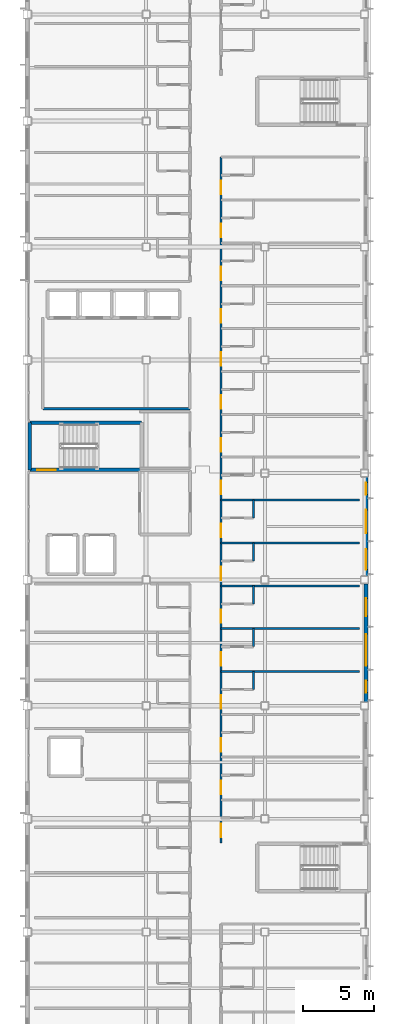
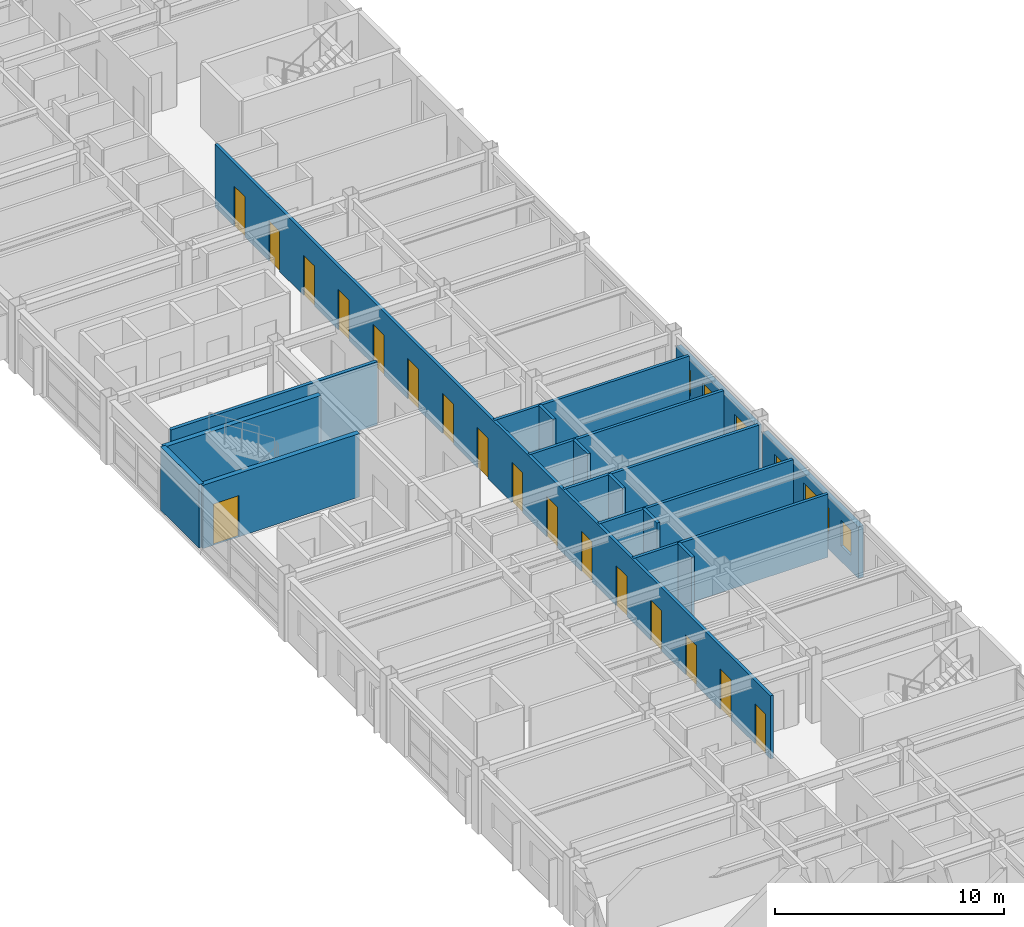
# One storey, part 27 of 38: 17 doors, 17 walls, 6 windows, 23 openings.
"""IFC4 building model written with IfcOpenShell, lengths in metres."""

import ifcopenshell
import ifcopenshell.guid

model = None  # the IFC model being written
_history = None  # IfcOwnerHistory: only IFC2X3 demands one
_inside = {}  # id of a spatial element -> (the spatial element, [elements in it])
_under = {}  # id of a project, library or spatial element -> (it, [spatial elements below it])
_declared = {}  # id of a project -> (the project, [libraries it declares])
_typed = {}  # id of a type object -> (the type object, [elements of that type])
_made_of = {}  # id of a material, layer set ... -> (it, [elements and type objects made of it])


def new_model(schema):
    """Start an empty IFC model of exactly this schema.

    Asked for "IFC4X3", IfcOpenShell would pick the latest addendum, in which some entities
    have other attributes; the version numbers below select the first issue.
    IFC2X3 requires an IfcOwnerHistory on every rooted entity: one is made here for all.
    """
    global model, _history
    if schema == "IFC4X3":
        model = ifcopenshell.file(schema_version=(4, 3, 0, 0))
    else:
        model = ifcopenshell.file(schema=schema)
    _inside.clear()
    _under.clear()
    _declared.clear()
    _typed.clear()
    _made_of.clear()
    _history = None
    if model.schema == "IFC2X3":
        org = make("IfcOrganization", Name="unknown")
        user = make(
            "IfcPersonAndOrganization",
            ThePerson=make("IfcPerson", FamilyName="unknown"),
            TheOrganization=org,
        )
        app = make(
            "IfcApplication",
            ApplicationDeveloper=org,
            Version="unknown",
            ApplicationFullName="unknown",
            ApplicationIdentifier="unknown",
        )
        _history = make(
            "IfcOwnerHistory",
            OwningUser=user,
            OwningApplication=app,
            ChangeAction="ADDED",
            CreationDate=0,
        )
    return model


def make(cls, **values):
    """One entity of the class cls with the attributes given. An attribute that is None is left unset."""
    return model.create_entity(
        cls, **{name: value for name, value in values.items() if value is not None}
    )


def rooted(cls, **values):
    """An entity with a GlobalId (a new one), such as an element, a storey or a relation."""
    return make(cls, GlobalId=ifcopenshell.guid.new(), OwnerHistory=_history, **values)


def si_unit(unit_type, name, prefix=None):
    """IfcSIUnit, for example si_unit("LENGTHUNIT", "METRE", prefix="MILLI")."""
    return make("IfcSIUnit", UnitType=unit_type, Prefix=prefix, Name=name)


def assignment(units):
    """IfcUnitAssignment: the units of a project."""
    return None if units is None else make("IfcUnitAssignment", Units=units)


def point(xyz):
    """IfcCartesianPoint."""
    return None if xyz is None else make("IfcCartesianPoint", Coordinates=xyz)


def direction(xyz):
    """IfcDirection."""
    return None if xyz is None else make("IfcDirection", DirectionRatios=xyz)


def frame(location, z_axis=None, x_axis=None):
    """IfcAxis2Placement3D, a coordinate frame: its origin and axes. An axis left out is left unset."""
    return make(
        "IfcAxis2Placement3D",
        Location=point(location),
        Axis=direction(z_axis),
        RefDirection=direction(x_axis),
    )


def frame_2d(location, x_axis=None):
    """IfcAxis2Placement2D, a coordinate frame in the plane: its origin and x axis."""
    return make(
        "IfcAxis2Placement2D", Location=point(location), RefDirection=direction(x_axis)
    )


def origin():
    """The frame at (0, 0, 0) with its axes left unset."""
    return frame((0.0, 0.0, 0.0))


def place(relative_to, where):
    """IfcLocalPlacement: puts the frame where relative to a parent placement (None: the world)."""
    return make(
        "IfcLocalPlacement", PlacementRelTo=relative_to, RelativePlacement=where
    )


def context(
    kind, dimensions, precision=None, world=None, true_north=None, identifier=None
):
    """IfcGeometricRepresentationContext, for example the 3D "Model" context."""
    return make(
        "IfcGeometricRepresentationContext",
        ContextIdentifier=identifier,
        ContextType=kind,
        CoordinateSpaceDimension=dimensions,
        Precision=precision,
        WorldCoordinateSystem=world,
        TrueNorth=true_north,
    )


def subcontext(parent, identifier, kind, view, scale=None):
    """IfcGeometricRepresentationSubContext, for example "Body" below "Model"."""
    return make(
        "IfcGeometricRepresentationSubContext",
        ContextIdentifier=identifier,
        ContextType=kind,
        ParentContext=parent,
        TargetScale=scale,
        TargetView=view,
    )


def project(units=None, contexts=None):
    """IfcProject with its units and contexts."""
    return rooted(
        "IfcProject",
        Name="project",
        RepresentationContexts=contexts,
        UnitsInContext=assignment(units),
    )


def spatial(cls, under=None, at=None, **own):
    """A site, building, storey or space (cls), placed at a placement, below another one or the project."""
    s = rooted(cls, ObjectPlacement=at, **own)
    if under is not None:
        _under.setdefault(under.id(), (under, []))[1].append(s)
    return s


def profile(cls, at=None, kind="AREA", **sizes):
    """A parametric profile (cls). Its sizes go by their IFC names, for example OverallWidth=200.0."""
    return make(cls, ProfileType=kind, Position=at, **sizes)


def rectangle(**sizes):
    """IfcRectangleProfileDef."""
    return profile("IfcRectangleProfileDef", **sizes)


def extrude(swept, where, along, depth):
    """IfcExtrudedAreaSolid: the profile swept, set in the frame where, extruded along a direction by depth."""
    return make(
        "IfcExtrudedAreaSolid",
        SweptArea=swept,
        Position=where,
        ExtrudedDirection=direction(along),
        Depth=depth,
    )


def shape(context_of_items, identifier, shape_type, items):
    """IfcShapeRepresentation: the items that make up one representation, for example the "Body"."""
    return make(
        "IfcShapeRepresentation",
        ContextOfItems=context_of_items,
        RepresentationIdentifier=identifier,
        RepresentationType=shape_type,
        Items=items,
    )


def material(Name=None, Category=None):
    """IfcMaterial."""
    return make("IfcMaterial", Name=Name, Category=Category)


def layer(
    of_material, thickness, ventilated=None, Name=None, Category=None, Priority=None
):
    """IfcMaterialLayer: one layer of a wall or slab, of a material (None: an air gap)."""
    return make(
        "IfcMaterialLayer",
        Material=of_material,
        LayerThickness=thickness,
        IsVentilated=ventilated,
        Name=Name,
        Category=Category,
        Priority=Priority,
    )


def layer_set(layers, Name=None):
    """IfcMaterialLayerSet."""
    return make("IfcMaterialLayerSet", MaterialLayers=layers, LayerSetName=Name)


def made_of(thing, what):
    """Note that an element or type object is made of a material, layer set ...; save() writes the relation."""
    if what is not None:
        _made_of.setdefault(what.id(), (what, []))[1].append(thing)
    return thing


def type_object(cls, material=None, **own):
    """A type object (cls), such as IfcWallType, which elements share."""
    return made_of(rooted(cls, **own), material)


def element(
    cls,
    number,
    at=None,
    inside=None,
    cuts=None,
    type_object=None,
    material=None,
    context=None,
    identifier="Body",
    shape_type=None,
    held_by="IfcProductDefinitionShape",
    body=None,
    shapes=None,
    **own,
):
    """One element of the class cls, such as IfcWall. Its Tag is "e" and its number.

    at: its placement. inside: the storey or other place that contains it. cuts: it is an
    opening in that element (IfcRelVoidsElement). A single representation is given by context,
    identifier, shape_type and body (its items); several are given by shapes. held_by: the class
    of the entity that holds the representations. save() writes the other relations.
    """
    e = rooted(cls, Tag="e%d" % number, ObjectPlacement=at, **own)
    if body is not None:
        shapes = [shape(context, identifier, shape_type, body)]
    if shapes is not None:
        e.Representation = make(held_by, Representations=shapes)
    if inside is not None:
        _inside.setdefault(inside.id(), (inside, []))[1].append(e)
    if cuts is not None:
        rooted(
            "IfcRelVoidsElement", RelatingBuildingElement=cuts, RelatedOpeningElement=e
        )
    if type_object is not None:
        _typed.setdefault(type_object.id(), (type_object, []))[1].append(e)
    return made_of(e, material)


def fill(opening, filler):
    """IfcRelFillsElement: the door or window that sits in an opening."""
    return rooted(
        "IfcRelFillsElement",
        RelatingOpeningElement=opening,
        RelatedBuildingElement=filler,
    )


def aggregate(whole, parts):
    """IfcRelAggregates: a whole, such as a stair, and the parts it consists of."""
    return rooted("IfcRelAggregates", RelatingObject=whole, RelatedObjects=parts)


def save(model, path):
    """Write the relations noted so far, then the file.

    IfcRelAggregates (storeys below a building ...), IfcRelContainedInSpatialStructure (elements
    in a storey), IfcRelDefinesByType, IfcRelAssociatesMaterial and IfcRelDeclares: one each for
    every whole, place, type object, material and project.
    """
    for whole, parts in _under.values():
        aggregate(whole, parts)
    for where, things in _inside.values():
        rooted(
            "IfcRelContainedInSpatialStructure",
            RelatedElements=things,
            RelatingStructure=where,
        )
    for kind, things in _typed.values():
        rooted("IfcRelDefinesByType", RelatedObjects=things, RelatingType=kind)
    for what, things in _made_of.values():
        rooted("IfcRelAssociatesMaterial", RelatedObjects=things, RelatingMaterial=what)
    for by, libraries in _declared.values():
        rooted("IfcRelDeclares", RelatingContext=by, RelatedDefinitions=libraries)
    model.write(path)


model = new_model("IFC4")

# Units and contexts
model_context = context("Model", 3, precision=1e-05, world=origin(), true_north=direction((0.0, 1.0)))
body_context = subcontext(model_context, "Body", "Model", "MODEL_VIEW")
ifc_project = project(units=[si_unit("LENGTHUNIT", "METRE"), si_unit("AREAUNIT", "SQUARE_METRE"), si_unit("VOLUMEUNIT", "CUBIC_METRE"), si_unit("PLANEANGLEUNIT", "RADIAN"), si_unit("MASSUNIT", "GRAM", prefix="KILO")], contexts=[model_context])

# Site, building, storey
site_placement = place(None, origin())
site = spatial("IfcSite", under=ifc_project, at=site_placement, CompositionType="ELEMENT")
building_placement = place(site_placement, origin())
building = spatial("IfcBuilding", under=site, at=building_placement, Name="Kazehara Bluff Congress Hotel", CompositionType="ELEMENT")
storey_placement = place(building_placement, frame((0.0, 0.0, 24.60009765625)))
storey = spatial("IfcBuildingStorey", under=building, at=storey_placement, Name="L05", CompositionType="ELEMENT", Elevation=24.60009765625)

# Wall
ifc_material_1 = material(Name="Concrete C40/50", Category="concrete")
ifc_layer_1 = layer(ifc_material_1, 0.25)
ifc_layer_set_1 = layer_set([ifc_layer_1], Name="Concrete C40/50")
wall_type_1 = type_object("IfcWallType", Name="TP-CW-RC", PredefinedType="SHEAR", material=ifc_layer_set_1)
wall_1_placement = place(storey_placement, frame((143.875, 48.675048828125, 0.0), z_axis=(0.0, 0.0, 1.0), x_axis=(0.0, 1.0, 0.0)))
element("IfcWall", 1, at=wall_1_placement, inside=storey, type_object=wall_type_1, Name="L05 ST-11 core wall near", PredefinedType="SHEAR", context=body_context, shape_type="SweptSolid", body=[
    extrude(rectangle(XDim=3.349853515625, YDim=0.25, at=frame_2d((1.6748046875, 0.0))), origin(), (0.0, 0.0, 1.0), 3.3798828125),
])

# Wall, opening, door
wall_2_placement = place(storey_placement, frame((151.77490234375, 48.675048828125, 0.0), z_axis=(0.0, 0.0, 1.0), x_axis=(-1.0, 0.0, 0.0)))
wall_2 = element("IfcWall", 2, at=wall_2_placement, inside=storey, type_object=wall_type_1, Name="L05 ST-11 core wall left", PredefinedType="SHEAR", context=body_context, shape_type="SweptSolid", body=[
    extrude(rectangle(XDim=7.89990234375, YDim=0.25, at=frame_2d((3.949951171875, 0.0))), origin(), (0.0, 0.0, 1.0), 3.3798828125),
])
opening_1_placement = place(wall_2_placement, frame((6.074951171875, 0.0, 0.0)))
opening_1 = element("IfcOpeningElement", 3, at=opening_1_placement, cuts=wall_2, Name="Opening FD-01", PredefinedType="OPENING", context=body_context, shape_type="SweptSolid", body=[
    extrude(rectangle(XDim=1.300048828125, YDim=2.199951171875, at=frame_2d((0.64990234375, 1.10009765625))), frame((0.0, 0.135009765625, 0.0), z_axis=(0.0, -1.0, 0.0), x_axis=(1.0, 0.0, 0.0)), (0.0, 0.0, 1.0), 0.27001953125),
])
ifc_material_2 = material(Name="Fire-rated painted steel leaf", Category="steel")
door_type_1 = type_object("IfcDoorType", Name="TP-FD-01", OperationType="NOTDEFINED", PredefinedType="DOOR", material=ifc_material_2)
door_1_placement = place(opening_1_placement, origin())
door_1 = element("IfcDoor", 4, at=door_1_placement, inside=storey, type_object=door_type_1, Name="L05 ST-11 fire stair door", OperationType="SINGLE_SWING_RIGHT", OverallHeight=2.199951171875, OverallWidth=1.300048828125, PredefinedType="DOOR", context=body_context, shape_type="SweptSolid", body=[
    extrude(rectangle(XDim=1.300048828125, YDim=2.199951171875, at=frame_2d((0.64990234375, 1.10009765625))), frame((0.0, 0.02490234375, 0.0), z_axis=(0.0, -1.0, 0.0), x_axis=(1.0, 0.0, 0.0)), (0.0, 0.0, 1.0), 0.050048828125),
])
fill(opening_1, door_1)

# Wall
wall_3_placement = place(storey_placement, frame((143.875, 52.02490234375, 0.0), z_axis=(0.0, 0.0, 1.0), x_axis=(1.0, 0.0, 0.0)))
element("IfcWall", 5, at=wall_3_placement, inside=storey, type_object=wall_type_1, Name="L05 ST-11 core wall right", PredefinedType="SHEAR", context=body_context, shape_type="SweptSolid", body=[
    extrude(rectangle(XDim=7.89990234375, YDim=0.25, at=frame_2d((3.949951171875, 0.0))), origin(), (0.0, 0.0, 1.0), 3.3798828125),
])

# Wall, openings, windows
ifc_material_3 = material(Name="Precast concrete C40/50", Category="concrete")
ifc_layer_2 = layer(ifc_material_3, 0.260009765625)
ifc_layer_set_2 = layer_set([ifc_layer_2], Name="Precast concrete C40/50")
wall_type_2 = type_object("IfcWallType", Name="TP-EW-260", PredefinedType="SOLIDWALL", material=ifc_layer_set_2)
wall_4_placement = place(storey_placement, frame((167.64990234375, 40.625, 0.0), z_axis=(0.0, 0.0, 1.0), x_axis=(0.0, -1.0, 0.0)))
wall_4 = element("IfcWall", 6, at=wall_4_placement, inside=storey, type_object=wall_type_2, Name="L05 hotel facade panel 46", PredefinedType="SOLIDWALL", context=body_context, shape_type="SweptSolid", body=[
    extrude(rectangle(XDim=8.35009765625, YDim=0.260009765625, at=frame_2d((4.175048828125, 0.0))), origin(), (0.0, 0.0, 1.0), 2.7548828125),
])
opening_2_placement = place(wall_4_placement, frame((6.85009765625, 0.0, 0.85009765625)))
opening_2 = element("IfcOpeningElement", 7, at=opening_2_placement, cuts=wall_4, Name="Opening WN-55", PredefinedType="OPENING", context=body_context, shape_type="SweptSolid", body=[
    extrude(rectangle(XDim=0.85009765625, YDim=1.35009765625, at=frame_2d((0.425048828125, 0.675048828125))), frame((0.0, 0.139892578125, 0.0), z_axis=(0.0, -1.0, 0.0), x_axis=(1.0, 0.0, 0.0)), (0.0, 0.0, 1.0), 0.280029296875),
])
opening_3_placement = place(wall_4_placement, frame((3.56005859375, 0.0, 0.85009765625)))
opening_3 = element("IfcOpeningElement", 8, at=opening_3_placement, cuts=wall_4, Name="Opening WN-51", PredefinedType="OPENING", context=body_context, shape_type="SweptSolid", body=[
    extrude(rectangle(XDim=2.25, YDim=1.35009765625, at=frame_2d((1.125, 0.675048828125))), frame((0.0, 0.139892578125, 0.0), z_axis=(0.0, -1.0, 0.0), x_axis=(1.0, 0.0, 0.0)), (0.0, 0.0, 1.0), 0.280029296875),
])
opening_4_placement = place(wall_4_placement, frame((1.030029296875, 0.0, 0.85009765625)))
opening_4 = element("IfcOpeningElement", 9, at=opening_4_placement, cuts=wall_4, Name="Opening WN-06", PredefinedType="OPENING", context=body_context, shape_type="SweptSolid", body=[
    extrude(rectangle(XDim=1.25, YDim=1.35009765625, at=frame_2d((0.625, 0.675048828125))), frame((0.0, 0.139892578125, 0.0), z_axis=(0.0, -1.0, 0.0), x_axis=(1.0, 0.0, 0.0)), (0.0, 0.0, 1.0), 0.280029296875),
])
ifc_material_4 = material(Name="Insulated low-E double glazing", Category="glass")
window_type_1 = type_object("IfcWindowType", Name="TP-WN-06", PartitioningType="SINGLE_PANEL", PredefinedType="WINDOW", material=ifc_material_4)
window_1_placement = place(opening_4_placement, origin())
window_1 = element("IfcWindow", 10, at=window_1_placement, inside=storey, type_object=window_type_1, Name="L05 guestroom window WN-06 77", OverallHeight=1.35009765625, OverallWidth=1.25, PartitioningType="SINGLE_PANEL", PredefinedType="WINDOW", context=body_context, shape_type="SweptSolid", body=[
    extrude(rectangle(XDim=1.25, YDim=1.35009765625, at=frame_2d((0.625, 0.675048828125))), frame((0.0, 0.030029296875, 0.0), z_axis=(0.0, -1.0, 0.0), x_axis=(1.0, 0.0, 0.0)), (0.0, 0.0, 1.0), 0.06005859375),
])
fill(opening_4, window_1)
ifc_material_5 = material(Name="Insulated low-E double glazing", Category="glass")
window_type_2 = type_object("IfcWindowType", Name="TP-WN-51", PartitioningType="DOUBLE_PANEL_VERTICAL", PredefinedType="WINDOW", material=ifc_material_5)
window_2_placement = place(opening_3_placement, origin())
window_2 = element("IfcWindow", 11, at=window_2_placement, inside=storey, type_object=window_type_2, Name="L05 guestroom window WN-51 76", OverallHeight=1.35009765625, OverallWidth=2.25, PartitioningType="SINGLE_PANEL", PredefinedType="WINDOW", context=body_context, shape_type="SweptSolid", body=[
    extrude(rectangle(XDim=2.25, YDim=1.35009765625, at=frame_2d((1.125, 0.675048828125))), frame((0.0, 0.030029296875, 0.0), z_axis=(0.0, -1.0, 0.0), x_axis=(1.0, 0.0, 0.0)), (0.0, 0.0, 1.0), 0.06005859375),
])
fill(opening_3, window_2)
ifc_material_6 = material(Name="Insulated low-E double glazing", Category="glass")
window_type_3 = type_object("IfcWindowType", Name="TP-WN-55", PartitioningType="SINGLE_PANEL", PredefinedType="WINDOW", material=ifc_material_6)
window_3_placement = place(opening_2_placement, origin())
window_3 = element("IfcWindow", 12, at=window_3_placement, inside=storey, type_object=window_type_3, Name="L05 guestroom window WN-55 75", OverallHeight=1.35009765625, OverallWidth=0.85009765625, PartitioningType="SINGLE_PANEL", PredefinedType="WINDOW", context=body_context, shape_type="SweptSolid", body=[
    extrude(rectangle(XDim=0.85009765625, YDim=1.35009765625, at=frame_2d((0.425048828125, 0.675048828125))), frame((0.0, 0.030029296875, 0.0), z_axis=(0.0, -1.0, 0.0), x_axis=(1.0, 0.0, 0.0)), (0.0, 0.0, 1.0), 0.06005859375),
])
fill(opening_2, window_3)

wall_5_placement = place(storey_placement, frame((167.64990234375, 48.175048828125, 0.0), z_axis=(0.0, 0.0, 1.0), x_axis=(0.0, -1.0, 0.0)))
wall_5 = element("IfcWall", 13, at=wall_5_placement, inside=storey, type_object=wall_type_2, Name="L05 hotel facade panel 47", PredefinedType="SOLIDWALL", context=body_context, shape_type="SweptSolid", body=[
    extrude(rectangle(XDim=7.0, YDim=0.260009765625, at=frame_2d((3.5, 0.0))), origin(), (0.0, 0.0, 1.0), 2.7548828125),
])
opening_5_placement = place(wall_5_placement, frame((5.10498046875, 0.0, 0.85009765625)))
opening_5 = element("IfcOpeningElement", 14, at=opening_5_placement, cuts=wall_5, Name="Opening WN-16", PredefinedType="OPENING", context=body_context, shape_type="SweptSolid", body=[
    extrude(rectangle(XDim=1.449951171875, YDim=1.35009765625, at=frame_2d((0.72509765625, 0.675048828125))), frame((0.0, 0.139892578125, 0.0), z_axis=(0.0, -1.0, 0.0), x_axis=(1.0, 0.0, 0.0)), (0.0, 0.0, 1.0), 0.280029296875),
])
opening_6_placement = place(wall_5_placement, frame((2.31494140625, 0.0, 0.85009765625)))
opening_6 = element("IfcOpeningElement", 15, at=opening_6_placement, cuts=wall_5, Name="Opening WN-26", PredefinedType="OPENING", context=body_context, shape_type="SweptSolid", body=[
    extrude(rectangle(XDim=1.64990234375, YDim=1.35009765625, at=frame_2d((0.824951171875, 0.675048828125))), frame((0.0, 0.139892578125, 0.0), z_axis=(0.0, -1.0, 0.0), x_axis=(1.0, 0.0, 0.0)), (0.0, 0.0, 1.0), 0.280029296875),
])
opening_7_placement = place(wall_5_placement, frame((0.389892578125, 0.0, 0.85009765625)))
opening_7 = element("IfcOpeningElement", 16, at=opening_7_placement, cuts=wall_5, Name="Opening WN-55", PredefinedType="OPENING", context=body_context, shape_type="SweptSolid", body=[
    extrude(rectangle(XDim=0.85009765625, YDim=1.35009765625, at=frame_2d((0.425048828125, 0.675048828125))), frame((0.0, 0.139892578125, 0.0), z_axis=(0.0, -1.0, 0.0), x_axis=(1.0, 0.0, 0.0)), (0.0, 0.0, 1.0), 0.280029296875),
])
ifc_material_7 = material(Name="Insulated low-E double glazing", Category="glass")
window_type_4 = type_object("IfcWindowType", Name="TP-WN-16", PartitioningType="SINGLE_PANEL", PredefinedType="WINDOW", material=ifc_material_7)
window_4_placement = place(opening_5_placement, origin())
window_4 = element("IfcWindow", 17, at=window_4_placement, inside=storey, type_object=window_type_4, Name="L05 guestroom window WN-16 78", OverallHeight=1.35009765625, OverallWidth=1.449951171875, PartitioningType="SINGLE_PANEL", PredefinedType="WINDOW", context=body_context, shape_type="SweptSolid", body=[
    extrude(rectangle(XDim=1.449951171875, YDim=1.35009765625, at=frame_2d((0.72509765625, 0.675048828125))), frame((0.0, 0.030029296875, 0.0), z_axis=(0.0, -1.0, 0.0), x_axis=(1.0, 0.0, 0.0)), (0.0, 0.0, 1.0), 0.06005859375),
])
fill(opening_5, window_4)
ifc_material_8 = material(Name="Insulated low-E double glazing", Category="glass")
window_type_5 = type_object("IfcWindowType", Name="TP-WN-26", PartitioningType="SINGLE_PANEL", PredefinedType="WINDOW", material=ifc_material_8)
window_5_placement = place(opening_6_placement, origin())
window_5 = element("IfcWindow", 18, at=window_5_placement, inside=storey, type_object=window_type_5, Name="L05 guestroom window WN-26 79", OverallHeight=1.35009765625, OverallWidth=1.64990234375, PartitioningType="SINGLE_PANEL", PredefinedType="WINDOW", context=body_context, shape_type="SweptSolid", body=[
    extrude(rectangle(XDim=1.64990234375, YDim=1.35009765625, at=frame_2d((0.824951171875, 0.675048828125))), frame((0.0, 0.030029296875, 0.0), z_axis=(0.0, -1.0, 0.0), x_axis=(1.0, 0.0, 0.0)), (0.0, 0.0, 1.0), 0.06005859375),
])
fill(opening_6, window_5)
window_6_placement = place(opening_7_placement, origin())
window_6 = element("IfcWindow", 19, at=window_6_placement, inside=storey, type_object=window_type_3, Name="L05 guestroom window WN-55 80", OverallHeight=1.35009765625, OverallWidth=0.85009765625, PartitioningType="SINGLE_PANEL", PredefinedType="WINDOW", context=body_context, shape_type="SweptSolid", body=[
    extrude(rectangle(XDim=0.85009765625, YDim=1.35009765625, at=frame_2d((0.425048828125, 0.675048828125))), frame((0.0, 0.030029296875, 0.0), z_axis=(0.0, -1.0, 0.0), x_axis=(1.0, 0.0, 0.0)), (0.0, 0.0, 1.0), 0.06005859375),
])
fill(opening_7, window_6)

# Walls
ifc_material_9 = material(Name="Fire-rated gypsum board stud partition")
ifc_layer_3 = layer(ifc_material_9, 0.14990234375)
ifc_layer_set_3 = layer_set([ifc_layer_3], Name="Fire-rated gypsum board stud partition")
wall_type_3 = type_object("IfcWallType", Name="TP-PT-150", PredefinedType="PARTITIONING", material=ifc_layer_set_3)
for number, where, z_axis, x_axis, name in (
    (20, (157.39990234375, 34.419921875, 0.0), (0.0, 0.0, 1.0), (1.0, 0.0, 0.0), "L05 partition PT-150 545"),
    (21, (157.39990234375, 37.449951171875, 0.0), (0.0, 0.0, 1.0), (1.0, 0.0, 0.0), "L05 partition PT-150 549"),
    (22, (157.39990234375, 40.47998046875, 0.0), (0.0, 0.0, 1.0), (1.0, 0.0, 0.0), "L05 partition PT-150 552"),
    (23, (157.39990234375, 43.52001953125, 0.0), (0.0, 0.0, 1.0), (1.0, 0.0, 0.0), "L05 partition PT-150 556"),
    (24, (157.39990234375, 46.550048828125, 0.0), (0.0, 0.0, 1.0), (1.0, 0.0, 0.0), "L05 partition PT-150 559"),
):
    element("IfcWall", number, at=place(storey_placement, frame(where, z_axis=z_axis, x_axis=x_axis)), inside=storey, type_object=wall_type_3, Name=name, PredefinedType="PARTITIONING", context=body_context, shape_type="SweptSolid", body=[
        extrude(rectangle(XDim=9.800048828125, YDim=0.14990234375, at=frame_2d((4.89990234375, 0.0))), origin(), (0.0, 0.0, 1.0), 3.364990234375),
    ])

# Wall, openings, doors
wall_6_placement = place(storey_placement, frame((157.39990234375, 22.300048828125, 0.0), z_axis=(0.0, 0.0, 1.0), x_axis=(0.0, 1.0, 0.0)))
wall_6 = element("IfcWall", 25, at=wall_6_placement, inside=storey, type_object=wall_type_3, Name="L05 partition PT-150 658", PredefinedType="PARTITIONING", context=body_context, shape_type="SweptSolid", body=[
    extrude(rectangle(XDim=48.5, YDim=0.14990234375, at=frame_2d((24.25, 0.0))), origin(), (0.0, 0.0, 1.0), 3.364990234375),
])
opening_8_placement = place(wall_6_placement, frame((0.39990234375, 0.0, 0.0)))
opening_8 = element("IfcOpeningElement", 26, at=opening_8_placement, cuts=wall_6, Name="Opening GD-01", PredefinedType="OPENING", context=body_context, shape_type="SweptSolid", body=[
    extrude(rectangle(XDim=0.949951171875, YDim=2.14990234375, at=frame_2d((0.47509765625, 1.074951171875))), frame((0.0, 0.0849609375, 0.0), z_axis=(0.0, -1.0, 0.0), x_axis=(1.0, 0.0, 0.0)), (0.0, 0.0, 1.0), 0.169921875),
])
opening_9_placement = place(wall_6_placement, frame((3.429931640625, 0.0, 0.0)))
opening_9 = element("IfcOpeningElement", 27, at=opening_9_placement, cuts=wall_6, Name="Opening GD-01", PredefinedType="OPENING", context=body_context, shape_type="SweptSolid", body=[
    extrude(rectangle(XDim=0.949951171875, YDim=2.14990234375, at=frame_2d((0.47509765625, 1.074951171875))), frame((0.0, 0.0849609375, 0.0), z_axis=(0.0, -1.0, 0.0), x_axis=(1.0, 0.0, 0.0)), (0.0, 0.0, 1.0), 0.169921875),
])
opening_10_placement = place(wall_6_placement, frame((6.4599609375, 0.0, 0.0)))
opening_10 = element("IfcOpeningElement", 28, at=opening_10_placement, cuts=wall_6, Name="Opening GD-01", PredefinedType="OPENING", context=body_context, shape_type="SweptSolid", body=[
    extrude(rectangle(XDim=0.949951171875, YDim=2.14990234375, at=frame_2d((0.47509765625, 1.074951171875))), frame((0.0, 0.0849609375, 0.0), z_axis=(0.0, -1.0, 0.0), x_axis=(1.0, 0.0, 0.0)), (0.0, 0.0, 1.0), 0.169921875),
])
opening_11_placement = place(wall_6_placement, frame((9.4951171875, 0.0, 0.0)))
opening_11 = element("IfcOpeningElement", 29, at=opening_11_placement, cuts=wall_6, Name="Opening GD-01", PredefinedType="OPENING", context=body_context, shape_type="SweptSolid", body=[
    extrude(rectangle(XDim=0.949951171875, YDim=2.14990234375, at=frame_2d((0.47509765625, 1.074951171875))), frame((0.0, 0.0849609375, 0.0), z_axis=(0.0, -1.0, 0.0), x_axis=(1.0, 0.0, 0.0)), (0.0, 0.0, 1.0), 0.169921875),
])
opening_12_placement = place(wall_6_placement, frame((12.52490234375, 0.0, 0.0)))
opening_12 = element("IfcOpeningElement", 30, at=opening_12_placement, cuts=wall_6, Name="Opening GD-01", PredefinedType="OPENING", context=body_context, shape_type="SweptSolid", body=[
    extrude(rectangle(XDim=0.949951171875, YDim=2.14990234375, at=frame_2d((0.47509765625, 1.074951171875))), frame((0.0, 0.0849609375, 0.0), z_axis=(0.0, -1.0, 0.0), x_axis=(1.0, 0.0, 0.0)), (0.0, 0.0, 1.0), 0.169921875),
])
opening_13_placement = place(wall_6_placement, frame((15.554931640625, 0.0, 0.0)))
opening_13 = element("IfcOpeningElement", 31, at=opening_13_placement, cuts=wall_6, Name="Opening GD-01", PredefinedType="OPENING", context=body_context, shape_type="SweptSolid", body=[
    extrude(rectangle(XDim=0.949951171875, YDim=2.14990234375, at=frame_2d((0.47509765625, 1.074951171875))), frame((0.0, 0.0849609375, 0.0), z_axis=(0.0, -1.0, 0.0), x_axis=(1.0, 0.0, 0.0)), (0.0, 0.0, 1.0), 0.169921875),
])
opening_14_placement = place(wall_6_placement, frame((18.5849609375, 0.0, 0.0)))
opening_14 = element("IfcOpeningElement", 32, at=opening_14_placement, cuts=wall_6, Name="Opening GD-01", PredefinedType="OPENING", context=body_context, shape_type="SweptSolid", body=[
    extrude(rectangle(XDim=0.949951171875, YDim=2.14990234375, at=frame_2d((0.47509765625, 1.074951171875))), frame((0.0, 0.0849609375, 0.0), z_axis=(0.0, -1.0, 0.0), x_axis=(1.0, 0.0, 0.0)), (0.0, 0.0, 1.0), 0.169921875),
])
opening_15_placement = place(wall_6_placement, frame((21.6201171875, 0.0, 0.0)))
opening_15 = element("IfcOpeningElement", 33, at=opening_15_placement, cuts=wall_6, Name="Opening GD-01", PredefinedType="OPENING", context=body_context, shape_type="SweptSolid", body=[
    extrude(rectangle(XDim=0.949951171875, YDim=2.14990234375, at=frame_2d((0.47509765625, 1.074951171875))), frame((0.0, 0.0849609375, 0.0), z_axis=(0.0, -1.0, 0.0), x_axis=(1.0, 0.0, 0.0)), (0.0, 0.0, 1.0), 0.169921875),
])
opening_16_placement = place(wall_6_placement, frame((24.64990234375, 0.0, 0.0)))
opening_16 = element("IfcOpeningElement", 34, at=opening_16_placement, cuts=wall_6, Name="Opening GD-01", PredefinedType="OPENING", context=body_context, shape_type="SweptSolid", body=[
    extrude(rectangle(XDim=0.949951171875, YDim=2.14990234375, at=frame_2d((0.47509765625, 1.074951171875))), frame((0.0, 0.0849609375, 0.0), z_axis=(0.0, -1.0, 0.0), x_axis=(1.0, 0.0, 0.0)), (0.0, 0.0, 1.0), 0.169921875),
])
opening_17_placement = place(wall_6_placement, frame((27.679931640625, 0.0, 0.0)))
opening_17 = element("IfcOpeningElement", 35, at=opening_17_placement, cuts=wall_6, Name="Opening GD-01", PredefinedType="OPENING", context=body_context, shape_type="SweptSolid", body=[
    extrude(rectangle(XDim=0.949951171875, YDim=2.14990234375, at=frame_2d((0.47509765625, 1.074951171875))), frame((0.0, 0.0849609375, 0.0), z_axis=(0.0, -1.0, 0.0), x_axis=(1.0, 0.0, 0.0)), (0.0, 0.0, 1.0), 0.169921875),
])
opening_18_placement = place(wall_6_placement, frame((30.7099609375, 0.0, 0.0)))
opening_18 = element("IfcOpeningElement", 36, at=opening_18_placement, cuts=wall_6, Name="Opening GD-01", PredefinedType="OPENING", context=body_context, shape_type="SweptSolid", body=[
    extrude(rectangle(XDim=0.949951171875, YDim=2.14990234375, at=frame_2d((0.47509765625, 1.074951171875))), frame((0.0, 0.0849609375, 0.0), z_axis=(0.0, -1.0, 0.0), x_axis=(1.0, 0.0, 0.0)), (0.0, 0.0, 1.0), 0.169921875),
])
opening_19_placement = place(wall_6_placement, frame((33.7451171875, 0.0, 0.0)))
opening_19 = element("IfcOpeningElement", 37, at=opening_19_placement, cuts=wall_6, Name="Opening GD-01", PredefinedType="OPENING", context=body_context, shape_type="SweptSolid", body=[
    extrude(rectangle(XDim=0.949951171875, YDim=2.14990234375, at=frame_2d((0.47509765625, 1.074951171875))), frame((0.0, 0.0849609375, 0.0), z_axis=(0.0, -1.0, 0.0), x_axis=(1.0, 0.0, 0.0)), (0.0, 0.0, 1.0), 0.169921875),
])
opening_20_placement = place(wall_6_placement, frame((36.77490234375, 0.0, 0.0)))
opening_20 = element("IfcOpeningElement", 38, at=opening_20_placement, cuts=wall_6, Name="Opening GD-01", PredefinedType="OPENING", context=body_context, shape_type="SweptSolid", body=[
    extrude(rectangle(XDim=0.949951171875, YDim=2.14990234375, at=frame_2d((0.47509765625, 1.074951171875))), frame((0.0, 0.0849609375, 0.0), z_axis=(0.0, -1.0, 0.0), x_axis=(1.0, 0.0, 0.0)), (0.0, 0.0, 1.0), 0.169921875),
])
opening_21_placement = place(wall_6_placement, frame((39.804931640625, 0.0, 0.0)))
opening_21 = element("IfcOpeningElement", 39, at=opening_21_placement, cuts=wall_6, Name="Opening GD-01", PredefinedType="OPENING", context=body_context, shape_type="SweptSolid", body=[
    extrude(rectangle(XDim=0.949951171875, YDim=2.14990234375, at=frame_2d((0.47509765625, 1.074951171875))), frame((0.0, 0.0849609375, 0.0), z_axis=(0.0, -1.0, 0.0), x_axis=(1.0, 0.0, 0.0)), (0.0, 0.0, 1.0), 0.169921875),
])
opening_22_placement = place(wall_6_placement, frame((42.840087890625, 0.0, 0.0)))
opening_22 = element("IfcOpeningElement", 40, at=opening_22_placement, cuts=wall_6, Name="Opening GD-01", PredefinedType="OPENING", context=body_context, shape_type="SweptSolid", body=[
    extrude(rectangle(XDim=0.949951171875, YDim=2.14990234375, at=frame_2d((0.47509765625, 1.074951171875))), frame((0.0, 0.0849609375, 0.0), z_axis=(0.0, -1.0, 0.0), x_axis=(1.0, 0.0, 0.0)), (0.0, 0.0, 1.0), 0.169921875),
])
opening_23_placement = place(wall_6_placement, frame((45.8701171875, 0.0, 0.0)))
opening_23 = element("IfcOpeningElement", 41, at=opening_23_placement, cuts=wall_6, Name="Opening GD-01", PredefinedType="OPENING", context=body_context, shape_type="SweptSolid", body=[
    extrude(rectangle(XDim=0.949951171875, YDim=2.14990234375, at=frame_2d((0.47509765625, 1.074951171875))), frame((0.0, 0.0849609375, 0.0), z_axis=(0.0, -1.0, 0.0), x_axis=(1.0, 0.0, 0.0)), (0.0, 0.0, 1.0), 0.169921875),
])
ifc_material_10 = material(Name="Architectural oak veneer leaf")
door_type_2 = type_object("IfcDoorType", Name="TP-GD-01", OperationType="NOTDEFINED", PredefinedType="DOOR", material=ifc_material_10)
door_2_placement = place(opening_8_placement, origin())
door_2 = element("IfcDoor", 42, at=door_2_placement, inside=storey, type_object=door_type_2, Name="L05 Standard King Guest Room 97 door", OperationType="SINGLE_SWING_LEFT", OverallHeight=2.14990234375, OverallWidth=0.949951171875, PredefinedType="DOOR", context=body_context, shape_type="SweptSolid", body=[
    extrude(rectangle(XDim=0.949951171875, YDim=2.14990234375, at=frame_2d((0.47509765625, 1.074951171875))), frame((0.0, 0.02490234375, 0.0), z_axis=(0.0, -1.0, 0.0), x_axis=(1.0, 0.0, 0.0)), (0.0, 0.0, 1.0), 0.050048828125),
])
fill(opening_8, door_2)
door_3_placement = place(opening_9_placement, origin())
door_3 = element("IfcDoor", 43, at=door_3_placement, inside=storey, type_object=door_type_2, Name="L05 Deluxe Twin Guest Room 98 door", OperationType="SINGLE_SWING_LEFT", OverallHeight=2.14990234375, OverallWidth=0.949951171875, PredefinedType="DOOR", context=body_context, shape_type="SweptSolid", body=[
    extrude(rectangle(XDim=0.949951171875, YDim=2.14990234375, at=frame_2d((0.47509765625, 1.074951171875))), frame((0.0, 0.02490234375, 0.0), z_axis=(0.0, -1.0, 0.0), x_axis=(1.0, 0.0, 0.0)), (0.0, 0.0, 1.0), 0.050048828125),
])
fill(opening_9, door_3)
door_4_placement = place(opening_10_placement, origin())
door_4 = element("IfcDoor", 44, at=door_4_placement, inside=storey, type_object=door_type_2, Name="L05 Standard King Guest Room 99 door", OperationType="SINGLE_SWING_LEFT", OverallHeight=2.14990234375, OverallWidth=0.949951171875, PredefinedType="DOOR", context=body_context, shape_type="SweptSolid", body=[
    extrude(rectangle(XDim=0.949951171875, YDim=2.14990234375, at=frame_2d((0.47509765625, 1.074951171875))), frame((0.0, 0.02490234375, 0.0), z_axis=(0.0, -1.0, 0.0), x_axis=(1.0, 0.0, 0.0)), (0.0, 0.0, 1.0), 0.050048828125),
])
fill(opening_10, door_4)
door_5_placement = place(opening_11_placement, origin())
door_5 = element("IfcDoor", 45, at=door_5_placement, inside=storey, type_object=door_type_2, Name="L05 Deluxe Twin Guest Room 100 door", OperationType="SINGLE_SWING_LEFT", OverallHeight=2.14990234375, OverallWidth=0.949951171875, PredefinedType="DOOR", context=body_context, shape_type="SweptSolid", body=[
    extrude(rectangle(XDim=0.949951171875, YDim=2.14990234375, at=frame_2d((0.47509765625, 1.074951171875))), frame((0.0, 0.02490234375, 0.0), z_axis=(0.0, -1.0, 0.0), x_axis=(1.0, 0.0, 0.0)), (0.0, 0.0, 1.0), 0.050048828125),
])
fill(opening_11, door_5)
door_6_placement = place(opening_12_placement, origin())
door_6 = element("IfcDoor", 46, at=door_6_placement, inside=storey, type_object=door_type_2, Name="L05 Standard King Guest Room 101 door", OperationType="SINGLE_SWING_LEFT", OverallHeight=2.14990234375, OverallWidth=0.949951171875, PredefinedType="DOOR", context=body_context, shape_type="SweptSolid", body=[
    extrude(rectangle(XDim=0.949951171875, YDim=2.14990234375, at=frame_2d((0.47509765625, 1.074951171875))), frame((0.0, 0.02490234375, 0.0), z_axis=(0.0, -1.0, 0.0), x_axis=(1.0, 0.0, 0.0)), (0.0, 0.0, 1.0), 0.050048828125),
])
fill(opening_12, door_6)
door_7_placement = place(opening_13_placement, origin())
door_7 = element("IfcDoor", 47, at=door_7_placement, inside=storey, type_object=door_type_2, Name="L05 Deluxe Twin Guest Room 102 door", OperationType="SINGLE_SWING_LEFT", OverallHeight=2.14990234375, OverallWidth=0.949951171875, PredefinedType="DOOR", context=body_context, shape_type="SweptSolid", body=[
    extrude(rectangle(XDim=0.949951171875, YDim=2.14990234375, at=frame_2d((0.47509765625, 1.074951171875))), frame((0.0, 0.02490234375, 0.0), z_axis=(0.0, -1.0, 0.0), x_axis=(1.0, 0.0, 0.0)), (0.0, 0.0, 1.0), 0.050048828125),
])
fill(opening_13, door_7)
door_8_placement = place(opening_14_placement, origin())
door_8 = element("IfcDoor", 48, at=door_8_placement, inside=storey, type_object=door_type_2, Name="L05 Standard King Guest Room 103 door", OperationType="SINGLE_SWING_LEFT", OverallHeight=2.14990234375, OverallWidth=0.949951171875, PredefinedType="DOOR", context=body_context, shape_type="SweptSolid", body=[
    extrude(rectangle(XDim=0.949951171875, YDim=2.14990234375, at=frame_2d((0.47509765625, 1.074951171875))), frame((0.0, 0.02490234375, 0.0), z_axis=(0.0, -1.0, 0.0), x_axis=(1.0, 0.0, 0.0)), (0.0, 0.0, 1.0), 0.050048828125),
])
fill(opening_14, door_8)
door_9_placement = place(opening_15_placement, origin())
door_9 = element("IfcDoor", 49, at=door_9_placement, inside=storey, type_object=door_type_2, Name="L05 Deluxe Twin Guest Room 104 door", OperationType="SINGLE_SWING_LEFT", OverallHeight=2.14990234375, OverallWidth=0.949951171875, PredefinedType="DOOR", context=body_context, shape_type="SweptSolid", body=[
    extrude(rectangle(XDim=0.949951171875, YDim=2.14990234375, at=frame_2d((0.47509765625, 1.074951171875))), frame((0.0, 0.02490234375, 0.0), z_axis=(0.0, -1.0, 0.0), x_axis=(1.0, 0.0, 0.0)), (0.0, 0.0, 1.0), 0.050048828125),
])
fill(opening_15, door_9)
door_10_placement = place(opening_16_placement, origin())
door_10 = element("IfcDoor", 50, at=door_10_placement, inside=storey, type_object=door_type_2, Name="L05 Standard King Guest Room 105 door", OperationType="SINGLE_SWING_LEFT", OverallHeight=2.14990234375, OverallWidth=0.949951171875, PredefinedType="DOOR", context=body_context, shape_type="SweptSolid", body=[
    extrude(rectangle(XDim=0.949951171875, YDim=2.14990234375, at=frame_2d((0.47509765625, 1.074951171875))), frame((0.0, 0.02490234375, 0.0), z_axis=(0.0, -1.0, 0.0), x_axis=(1.0, 0.0, 0.0)), (0.0, 0.0, 1.0), 0.050048828125),
])
fill(opening_16, door_10)
door_11_placement = place(opening_17_placement, origin())
door_11 = element("IfcDoor", 51, at=door_11_placement, inside=storey, type_object=door_type_2, Name="L05 Deluxe Twin Guest Room 106 door", OperationType="SINGLE_SWING_LEFT", OverallHeight=2.14990234375, OverallWidth=0.949951171875, PredefinedType="DOOR", context=body_context, shape_type="SweptSolid", body=[
    extrude(rectangle(XDim=0.949951171875, YDim=2.14990234375, at=frame_2d((0.47509765625, 1.074951171875))), frame((0.0, 0.02490234375, 0.0), z_axis=(0.0, -1.0, 0.0), x_axis=(1.0, 0.0, 0.0)), (0.0, 0.0, 1.0), 0.050048828125),
])
fill(opening_17, door_11)
door_12_placement = place(opening_18_placement, origin())
door_12 = element("IfcDoor", 52, at=door_12_placement, inside=storey, type_object=door_type_2, Name="L05 Standard King Guest Room 107 door", OperationType="SINGLE_SWING_LEFT", OverallHeight=2.14990234375, OverallWidth=0.949951171875, PredefinedType="DOOR", context=body_context, shape_type="SweptSolid", body=[
    extrude(rectangle(XDim=0.949951171875, YDim=2.14990234375, at=frame_2d((0.47509765625, 1.074951171875))), frame((0.0, 0.02490234375, 0.0), z_axis=(0.0, -1.0, 0.0), x_axis=(1.0, 0.0, 0.0)), (0.0, 0.0, 1.0), 0.050048828125),
])
fill(opening_18, door_12)
door_13_placement = place(opening_19_placement, origin())
door_13 = element("IfcDoor", 53, at=door_13_placement, inside=storey, type_object=door_type_2, Name="L05 Deluxe Twin Guest Room 108 door", OperationType="SINGLE_SWING_LEFT", OverallHeight=2.14990234375, OverallWidth=0.949951171875, PredefinedType="DOOR", context=body_context, shape_type="SweptSolid", body=[
    extrude(rectangle(XDim=0.949951171875, YDim=2.14990234375, at=frame_2d((0.47509765625, 1.074951171875))), frame((0.0, 0.02490234375, 0.0), z_axis=(0.0, -1.0, 0.0), x_axis=(1.0, 0.0, 0.0)), (0.0, 0.0, 1.0), 0.050048828125),
])
fill(opening_19, door_13)
door_14_placement = place(opening_20_placement, origin())
door_14 = element("IfcDoor", 54, at=door_14_placement, inside=storey, type_object=door_type_2, Name="L05 Standard King Guest Room 109 door", OperationType="SINGLE_SWING_LEFT", OverallHeight=2.14990234375, OverallWidth=0.949951171875, PredefinedType="DOOR", context=body_context, shape_type="SweptSolid", body=[
    extrude(rectangle(XDim=0.949951171875, YDim=2.14990234375, at=frame_2d((0.47509765625, 1.074951171875))), frame((0.0, 0.02490234375, 0.0), z_axis=(0.0, -1.0, 0.0), x_axis=(1.0, 0.0, 0.0)), (0.0, 0.0, 1.0), 0.050048828125),
])
fill(opening_20, door_14)
door_15_placement = place(opening_21_placement, origin())
door_15 = element("IfcDoor", 55, at=door_15_placement, inside=storey, type_object=door_type_2, Name="L05 Deluxe Twin Guest Room 110 door", OperationType="SINGLE_SWING_LEFT", OverallHeight=2.14990234375, OverallWidth=0.949951171875, PredefinedType="DOOR", context=body_context, shape_type="SweptSolid", body=[
    extrude(rectangle(XDim=0.949951171875, YDim=2.14990234375, at=frame_2d((0.47509765625, 1.074951171875))), frame((0.0, 0.02490234375, 0.0), z_axis=(0.0, -1.0, 0.0), x_axis=(1.0, 0.0, 0.0)), (0.0, 0.0, 1.0), 0.050048828125),
])
fill(opening_21, door_15)
door_16_placement = place(opening_22_placement, origin())
door_16 = element("IfcDoor", 56, at=door_16_placement, inside=storey, type_object=door_type_2, Name="L05 Standard King Guest Room 111 door", OperationType="SINGLE_SWING_LEFT", OverallHeight=2.14990234375, OverallWidth=0.949951171875, PredefinedType="DOOR", context=body_context, shape_type="SweptSolid", body=[
    extrude(rectangle(XDim=0.949951171875, YDim=2.14990234375, at=frame_2d((0.47509765625, 1.074951171875))), frame((0.0, 0.02490234375, 0.0), z_axis=(0.0, -1.0, 0.0), x_axis=(1.0, 0.0, 0.0)), (0.0, 0.0, 1.0), 0.050048828125),
])
fill(opening_22, door_16)
door_17_placement = place(opening_23_placement, origin())
door_17 = element("IfcDoor", 57, at=door_17_placement, inside=storey, type_object=door_type_2, Name="L05 Deluxe Twin Guest Room 112 door", OperationType="SINGLE_SWING_LEFT", OverallHeight=2.14990234375, OverallWidth=0.949951171875, PredefinedType="DOOR", context=body_context, shape_type="SweptSolid", body=[
    extrude(rectangle(XDim=0.949951171875, YDim=2.14990234375, at=frame_2d((0.47509765625, 1.074951171875))), frame((0.0, 0.02490234375, 0.0), z_axis=(0.0, -1.0, 0.0), x_axis=(1.0, 0.0, 0.0)), (0.0, 0.0, 1.0), 0.050048828125),
])
fill(opening_23, door_17)

# Walls
for number, where, z_axis, x_axis, name in (
    (58, (159.699951171875, 33.14501953125, 0.0), (0.0, 0.0, 1.0), (0.0, 1.0, 0.0), "L05 partition PT-150 668"),
    (59, (159.699951171875, 36.175048828125, 0.0), (0.0, 0.0, 1.0), (0.0, 1.0, 0.0), "L05 partition PT-150 669"),
    (60, (159.699951171875, 39.205078125, 0.0), (0.0, 0.0, 1.0), (0.0, 1.0, 0.0), "L05 partition PT-150 670"),
):
    element("IfcWall", number, at=place(storey_placement, frame(where, z_axis=z_axis, x_axis=x_axis)), inside=storey, type_object=wall_type_3, Name=name, PredefinedType="PARTITIONING", context=body_context, shape_type="SweptSolid", body=[
        extrude(rectangle(XDim=1.280029296875, YDim=0.14990234375, at=frame_2d((0.64013671875, 0.0))), origin(), (0.0, 0.0, 1.0), 3.364990234375),
    ])
wall_7_placement = place(storey_placement, frame((159.699951171875, 42.235107421875, 0.0), z_axis=(0.0, 0.0, 1.0), x_axis=(0.0, 1.0, 0.0)))
element("IfcWall", 61, at=wall_7_placement, inside=storey, type_object=wall_type_3, Name="L05 partition PT-150 671", PredefinedType="PARTITIONING", context=body_context, shape_type="SweptSolid", body=[
    extrude(rectangle(XDim=1.284912109375, YDim=0.14990234375, at=frame_2d((0.642578125, 0.0))), origin(), (0.0, 0.0, 1.0), 3.364990234375),
])
wall_8_placement = place(storey_placement, frame((159.699951171875, 45.27001953125, 0.0), z_axis=(0.0, 0.0, 1.0), x_axis=(0.0, 1.0, 0.0)))
element("IfcWall", 62, at=wall_8_placement, inside=storey, type_object=wall_type_3, Name="L05 partition PT-150 672", PredefinedType="PARTITIONING", context=body_context, shape_type="SweptSolid", body=[
    extrude(rectangle(XDim=1.280029296875, YDim=0.14990234375, at=frame_2d((0.64013671875, 0.0))), origin(), (0.0, 0.0, 1.0), 3.364990234375),
])
ifc_material_11 = material(Name="Fire-rated gypsum board stud partition")
ifc_layer_4 = layer(ifc_material_11, 0.169921875)
ifc_layer_set_4 = layer_set([ifc_layer_4], Name="Fire-rated gypsum board stud partition")
wall_type_4 = type_object("IfcWallType", Name="TP-PT-180", PredefinedType="PARTITIONING", material=ifc_layer_set_4)
wall_9_placement = place(storey_placement, frame((144.800048828125, 53.0, 0.0), z_axis=(0.0, 0.0, 1.0), x_axis=(1.0, 0.0, 0.0)))
element("IfcWall", 63, at=wall_9_placement, inside=storey, type_object=wall_type_4, Name="L05 partition PT-180 567", PredefinedType="PARTITIONING", context=body_context, shape_type="SweptSolid", body=[
    extrude(rectangle(XDim=10.39990234375, YDim=0.169921875, at=frame_2d((5.199951171875, 0.0))), origin(), (0.0, 0.0, 1.0), 3.364990234375),
])

save(model, "model.ifc")
